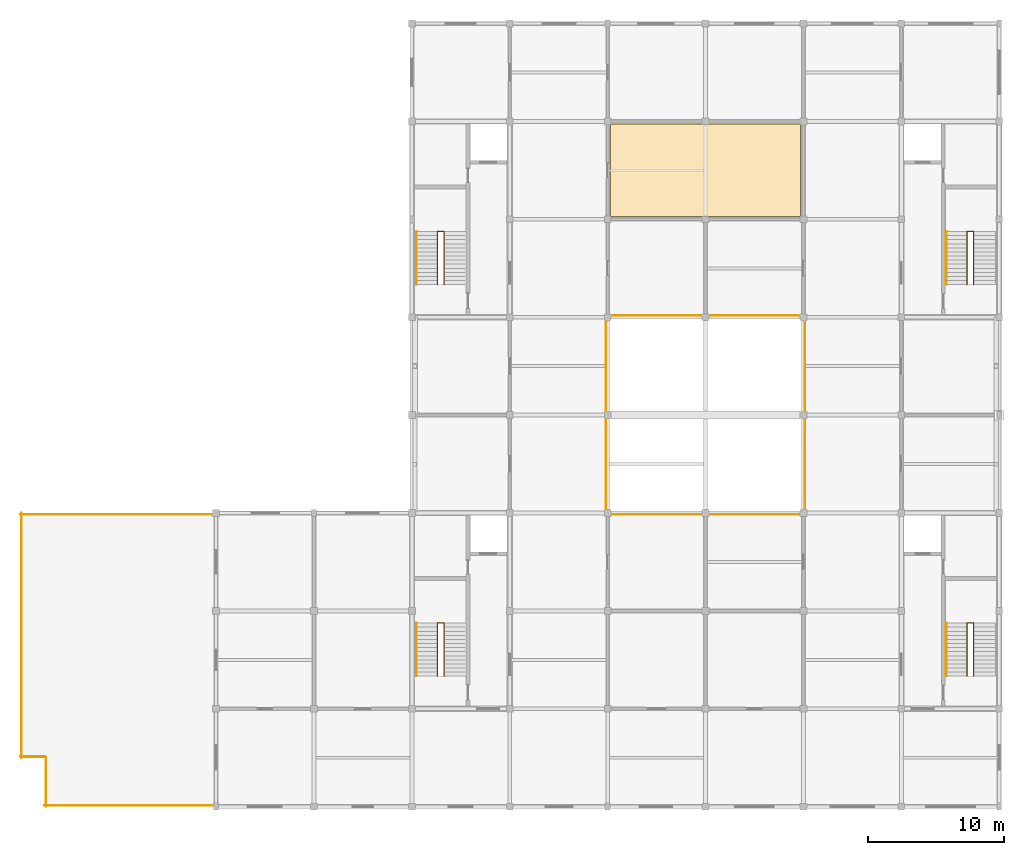
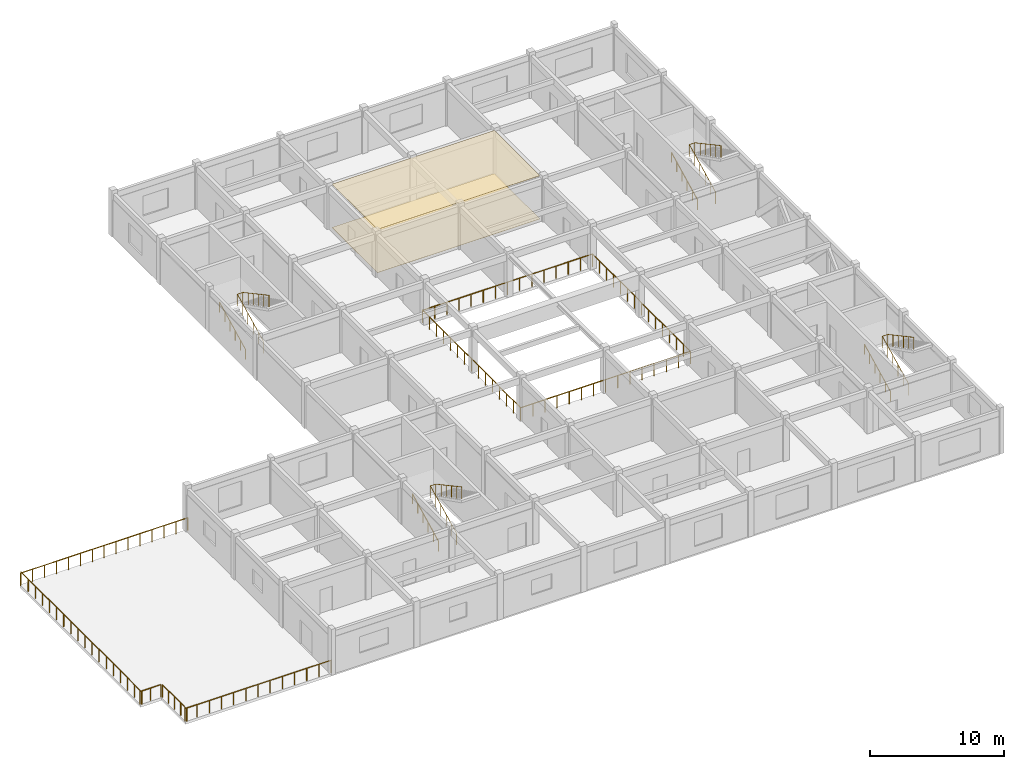
# One storey, part 7 of 7: 17 railings, 2 coverings.
"""IFC4 building model written with IfcOpenShell, lengths in metres."""

from ifc_helpers import new_model, si_unit, direction, frame, origin, origin_2d, place, context, subcontext, project, spatial, polyline, circle, outline, extrude, material, layer, layer_set, type_object, element, save


model = new_model("IFC4")

# Units and contexts
model_context = context("Model", 3, precision=1e-05, world=origin(), true_north=direction((0.0, 1.0)))
body_context = subcontext(model_context, "Body", "Model", "MODEL_VIEW")
ifc_project = project(units=[si_unit("LENGTHUNIT", "METRE"), si_unit("AREAUNIT", "SQUARE_METRE"), si_unit("VOLUMEUNIT", "CUBIC_METRE"), si_unit("PLANEANGLEUNIT", "RADIAN"), si_unit("MASSUNIT", "GRAM", prefix="KILO")], contexts=[model_context])

# Site, building, storey
site_placement = place(None, origin())
site = spatial("IfcSite", under=ifc_project, at=site_placement, CompositionType="ELEMENT")
building_placement = place(site_placement, origin())
building = spatial("IfcBuilding", under=site, at=building_placement, Name="Cendaluz Park School", CompositionType="ELEMENT")
storey_placement = place(building_placement, frame((0.0, 0.0, 46.800048828125)))
storey = spatial("IfcBuildingStorey", under=building, at=storey_placement, Name="L11", CompositionType="ELEMENT", Elevation=46.800048828125)

# Coverings
ifc_material_1 = material(Name="Mineral Fibre Acoustic Tile")
ifc_layer_1 = layer(ifc_material_1, 0.030029296875)
ifc_layer_set_1 = layer_set([ifc_layer_1], Name="Mineral Fibre Acoustic Tile")
covering_type_1 = type_object("IfcCoveringType", Name="CV-CLG01", PredefinedType="CEILING", material=ifc_layer_set_1)
covering_1_placement = place(storey_placement, frame((0.0, 0.0, 3.93994140625)))
element("IfcCovering", 1, at=covering_1_placement, inside=storey, type_object=covering_type_1, Name="CV-CLG-L11-01", PredefinedType="CEILING", context=body_context, shape_type="SweptSolid", body=[
    extrude(outline(polyline([(79.39990234375, 50.60009765625), (93.39990234375, 50.60009765625), (93.39990234375, 57.39990234375), (79.39990234375, 57.39990234375), (79.39990234375, 50.60009765625)])), origin(), (0.0, 0.0, 1.0), 0.030029296875),
])
ifc_material_2 = material(Name="Polished Terrazzo Tile")
ifc_layer_2 = layer(ifc_material_2, 0.02001953125)
ifc_layer_set_2 = layer_set([ifc_layer_2], Name="Polished Terrazzo Tile")
covering_type_2 = type_object("IfcCoveringType", Name="CV-FLR01", PredefinedType="FLOORING", material=ifc_layer_set_2)
covering_2_placement = place(storey_placement, origin())
element("IfcCovering", 2, at=covering_2_placement, inside=storey, type_object=covering_type_2, Name="CV-FLR-L11-01", PredefinedType="FLOORING", context=body_context, shape_type="SweptSolid", body=[
    extrude(outline(polyline([(79.39990234375, 50.60009765625), (93.39990234375, 50.60009765625), (93.39990234375, 57.39990234375), (79.39990234375, 57.39990234375), (79.39990234375, 50.60009765625)])), origin(), (0.0, 0.0, 1.0), 0.02001953125),
])

# Railings
ifc_material_3 = material(Name="Wrought Iron")
railing_type_1 = type_object("IfcRailingType", Name="GR-PD01", PredefinedType="BALUSTRADE", material=ifc_material_3)
railing_1_placement = place(storey_placement, frame((36.0, 28.699951171875, 0.0)))
element("IfcRailing", 3, at=railing_1_placement, inside=storey, type_object=railing_type_1, Name="GR-PD-L11-021", PredefinedType="BALUSTRADE", context=body_context, shape_type="SweptSolid", body=[
    extrude(circle(Radius=0.02392578125, at=origin_2d()), frame((0.0, 0.0, 1.1259765625), z_axis=(1.0, 0.0, 0.0), x_axis=(0.0, 1.0, 0.0)), (0.0, 0.0, 1.0), 14.39990234375),
    extrude(circle(Radius=0.02099609375, at=origin_2d()), origin(), (0.0, 0.0, 1.0), 1.101806640625),
    extrude(circle(Radius=0.02099609375, at=origin_2d()), frame((1.028564453125, 0.0, 0.0)), (0.0, 0.0, 1.0), 1.101806640625),
    extrude(circle(Radius=0.02099609375, at=origin_2d()), frame((2.05712890625, 0.0, 0.0)), (0.0, 0.0, 1.0), 1.101806640625),
    extrude(circle(Radius=0.02099609375, at=origin_2d()), frame((3.085693359375, 0.0, 0.0)), (0.0, 0.0, 1.0), 1.101806640625),
    extrude(circle(Radius=0.02099609375, at=origin_2d()), frame((4.1142578125, 0.0, 0.0)), (0.0, 0.0, 1.0), 1.101806640625),
    extrude(circle(Radius=0.02099609375, at=origin_2d()), frame((5.142822265625, 0.0, 0.0)), (0.0, 0.0, 1.0), 1.101806640625),
    extrude(circle(Radius=0.02099609375, at=origin_2d()), frame((6.17138671875, 0.0, 0.0)), (0.0, 0.0, 1.0), 1.101806640625),
    extrude(circle(Radius=0.02099609375, at=origin_2d()), frame((7.199951171875, 0.0, 0.0)), (0.0, 0.0, 1.0), 1.101806640625),
    extrude(circle(Radius=0.02099609375, at=origin_2d()), frame((8.228515625, 0.0, 0.0)), (0.0, 0.0, 1.0), 1.101806640625),
    extrude(circle(Radius=0.02099609375, at=origin_2d()), frame((9.257080078125, 0.0, 0.0)), (0.0, 0.0, 1.0), 1.101806640625),
    extrude(circle(Radius=0.02099609375, at=origin_2d()), frame((10.28564453125, 0.0, 0.0)), (0.0, 0.0, 1.0), 1.101806640625),
    extrude(circle(Radius=0.02099609375, at=origin_2d()), frame((11.314208984375, 0.0, 0.0)), (0.0, 0.0, 1.0), 1.101806640625),
    extrude(circle(Radius=0.02099609375, at=origin_2d()), frame((12.3427734375, 0.0, 0.0)), (0.0, 0.0, 1.0), 1.101806640625),
    extrude(circle(Radius=0.02099609375, at=origin_2d()), frame((13.371337890625, 0.0, 0.0)), (0.0, 0.0, 1.0), 1.101806640625),
    extrude(circle(Radius=0.02099609375, at=origin_2d()), frame((14.39990234375, 0.0, 0.0)), (0.0, 0.0, 1.0), 1.101806640625),
])
railing_2_placement = place(storey_placement, frame((50.39990234375, 7.300048828125, 0.0)))
element("IfcRailing", 4, at=railing_2_placement, inside=storey, type_object=railing_type_1, Name="GR-PD-L11-022", PredefinedType="BALUSTRADE", context=body_context, shape_type="SweptSolid", body=[
    extrude(circle(Radius=0.02392578125, at=origin_2d()), frame((0.0, 0.0, 1.1259765625), z_axis=(-1.0, 0.0, 0.0), x_axis=(0.0, -1.0, 0.0)), (0.0, 0.0, 1.0), 12.599853515625),
    extrude(circle(Radius=0.02099609375, at=origin_2d()), origin(), (0.0, 0.0, 1.0), 1.101806640625),
    extrude(circle(Radius=0.02099609375, at=origin_2d()), frame((-1.050048828125, 0.0, 0.0)), (0.0, 0.0, 1.0), 1.101806640625),
    extrude(circle(Radius=0.02099609375, at=origin_2d()), frame((-2.10009765625, 0.0, 0.0)), (0.0, 0.0, 1.0), 1.101806640625),
    extrude(circle(Radius=0.02099609375, at=origin_2d()), frame((-3.14990234375, 0.0, 0.0)), (0.0, 0.0, 1.0), 1.101806640625),
    extrude(circle(Radius=0.02099609375, at=origin_2d()), frame((-4.199951171875, 0.0, 0.0)), (0.0, 0.0, 1.0), 1.101806640625),
    extrude(circle(Radius=0.02099609375, at=origin_2d()), frame((-5.25, 0.0, 0.0)), (0.0, 0.0, 1.0), 1.101806640625),
    extrude(circle(Radius=0.02099609375, at=origin_2d()), frame((-6.2998046875, 0.0, 0.0)), (0.0, 0.0, 1.0), 1.101806640625),
    extrude(circle(Radius=0.02099609375, at=origin_2d()), frame((-7.349853515625, 0.0, 0.0)), (0.0, 0.0, 1.0), 1.101806640625),
    extrude(circle(Radius=0.02099609375, at=origin_2d()), frame((-8.39990234375, 0.0, 0.0)), (0.0, 0.0, 1.0), 1.101806640625),
    extrude(circle(Radius=0.02099609375, at=origin_2d()), frame((-9.449951171875, 0.0, 0.0)), (0.0, 0.0, 1.0), 1.101806640625),
    extrude(circle(Radius=0.02099609375, at=origin_2d()), frame((-10.5, 0.0, 0.0)), (0.0, 0.0, 1.0), 1.101806640625),
    extrude(circle(Radius=0.02099609375, at=origin_2d()), frame((-11.5498046875, 0.0, 0.0)), (0.0, 0.0, 1.0), 1.101806640625),
    extrude(circle(Radius=0.02099609375, at=origin_2d()), frame((-12.599853515625, 0.0, 0.0)), (0.0, 0.0, 1.0), 1.101806640625),
])
railing_3_placement = place(storey_placement, frame((37.89990234375, 7.199951171875, 0.0)))
element("IfcRailing", 5, at=railing_3_placement, inside=storey, type_object=railing_type_1, Name="GR-PD-L11-023", PredefinedType="BALUSTRADE", context=body_context, shape_type="SweptSolid", body=[
    extrude(circle(Radius=0.02392578125, at=origin_2d()), frame((0.0, 0.0, 1.1259765625), z_axis=(0.0, 1.0, 0.0), x_axis=(-1.0, 0.0, 0.0)), (0.0, 0.0, 1.0), 3.60009765625),
    extrude(circle(Radius=0.02099609375, at=origin_2d()), origin(), (0.0, 0.0, 1.0), 1.101806640625),
    extrude(circle(Radius=0.02099609375, at=origin_2d()), frame((0.0, 0.89990234375, 0.0)), (0.0, 0.0, 1.0), 1.101806640625),
    extrude(circle(Radius=0.02099609375, at=origin_2d()), frame((0.0, 1.800048828125, 0.0)), (0.0, 0.0, 1.0), 1.101806640625),
    extrude(circle(Radius=0.02099609375, at=origin_2d()), frame((0.0, 2.7001953125, 0.0)), (0.0, 0.0, 1.0), 1.101806640625),
    extrude(circle(Radius=0.02099609375, at=origin_2d()), frame((0.0, 3.60009765625, 0.0)), (0.0, 0.0, 1.0), 1.101806640625),
])
railing_4_placement = place(storey_placement, frame((37.800048828125, 10.89990234375, 0.0)))
element("IfcRailing", 6, at=railing_4_placement, inside=storey, type_object=railing_type_1, Name="GR-PD-L11-024", PredefinedType="BALUSTRADE", context=body_context, shape_type="SweptSolid", body=[
    extrude(circle(Radius=0.02392578125, at=origin_2d()), frame((0.0, 0.0, 1.1259765625), z_axis=(-1.0, 0.0, 0.0), x_axis=(0.0, -1.0, 0.0)), (0.0, 0.0, 1.0), 1.800048828125),
    extrude(circle(Radius=0.02099609375, at=origin_2d()), origin(), (0.0, 0.0, 1.0), 1.101806640625),
    extrude(circle(Radius=0.02099609375, at=origin_2d()), frame((-0.89990234375, 0.0, 0.0)), (0.0, 0.0, 1.0), 1.101806640625),
    extrude(circle(Radius=0.02099609375, at=origin_2d()), frame((-1.800048828125, 0.0, 0.0)), (0.0, 0.0, 1.0), 1.101806640625),
])
railing_5_placement = place(storey_placement, frame((36.10009765625, 10.800048828125, 0.0)))
element("IfcRailing", 7, at=railing_5_placement, inside=storey, type_object=railing_type_1, Name="GR-PD-L11-025", PredefinedType="BALUSTRADE", context=body_context, shape_type="SweptSolid", body=[
    extrude(circle(Radius=0.02392578125, at=origin_2d()), frame((0.0, 0.0, 1.1259765625), z_axis=(0.0, 1.0, 0.0), x_axis=(-1.0, 0.0, 0.0)), (0.0, 0.0, 1.0), 18.0),
    extrude(circle(Radius=0.02099609375, at=origin_2d()), origin(), (0.0, 0.0, 1.0), 1.101806640625),
    extrude(circle(Radius=0.02099609375, at=origin_2d()), frame((0.0, 1.058837890625, 0.0)), (0.0, 0.0, 1.0), 1.101806640625),
    extrude(circle(Radius=0.02099609375, at=origin_2d()), frame((0.0, 2.11767578125, 0.0)), (0.0, 0.0, 1.0), 1.101806640625),
    extrude(circle(Radius=0.02099609375, at=origin_2d()), frame((0.0, 3.176513671875, 0.0)), (0.0, 0.0, 1.0), 1.101806640625),
    extrude(circle(Radius=0.02099609375, at=origin_2d()), frame((0.0, 4.2353515625, 0.0)), (0.0, 0.0, 1.0), 1.101806640625),
    extrude(circle(Radius=0.02099609375, at=origin_2d()), frame((0.0, 5.294189453125, 0.0)), (0.0, 0.0, 1.0), 1.101806640625),
    extrude(circle(Radius=0.02099609375, at=origin_2d()), frame((0.0, 6.35302734375, 0.0)), (0.0, 0.0, 1.0), 1.101806640625),
    extrude(circle(Radius=0.02099609375, at=origin_2d()), frame((0.0, 7.411865234375, 0.0)), (0.0, 0.0, 1.0), 1.101806640625),
    extrude(circle(Radius=0.02099609375, at=origin_2d()), frame((0.0, 8.470703125, 0.0)), (0.0, 0.0, 1.0), 1.101806640625),
    extrude(circle(Radius=0.02099609375, at=origin_2d()), frame((0.0, 9.529296875, 0.0)), (0.0, 0.0, 1.0), 1.101806640625),
    extrude(circle(Radius=0.02099609375, at=origin_2d()), frame((0.0, 10.588134765625, 0.0)), (0.0, 0.0, 1.0), 1.101806640625),
    extrude(circle(Radius=0.02099609375, at=origin_2d()), frame((0.0, 11.64697265625, 0.0)), (0.0, 0.0, 1.0), 1.101806640625),
    extrude(circle(Radius=0.02099609375, at=origin_2d()), frame((0.0, 12.705810546875, 0.0)), (0.0, 0.0, 1.0), 1.101806640625),
    extrude(circle(Radius=0.02099609375, at=origin_2d()), frame((0.0, 13.7646484375, 0.0)), (0.0, 0.0, 1.0), 1.101806640625),
    extrude(circle(Radius=0.02099609375, at=origin_2d()), frame((0.0, 14.823486328125, 0.0)), (0.0, 0.0, 1.0), 1.101806640625),
    extrude(circle(Radius=0.02099609375, at=origin_2d()), frame((0.0, 15.88232421875, 0.0)), (0.0, 0.0, 1.0), 1.101806640625),
    extrude(circle(Radius=0.02099609375, at=origin_2d()), frame((0.0, 16.941162109375, 0.0)), (0.0, 0.0, 1.0), 1.101806640625),
    extrude(circle(Radius=0.02099609375, at=origin_2d()), frame((0.0, 18.0, 0.0)), (0.0, 0.0, 1.0), 1.101806640625),
])
railing_type_2 = type_object("IfcRailingType", Name="GR-ST01", PredefinedType="BALUSTRADE", material=ifc_material_3)
railing_6_placement = place(storey_placement, frame((66.68994140625, 16.800048828125, 0.14990234375)))
element("IfcRailing", 8, at=railing_6_placement, inside=storey, type_object=railing_type_2, Name="GR-ST-025", PredefinedType="BALUSTRADE", context=body_context, shape_type="SweptSolid", body=[
    extrude(circle(Radius=0.02392578125, at=origin_2d()), frame((0.0, 0.0, 1.076171875), z_axis=(0.0, 0.894427191, 0.4472135955), x_axis=(-1.0, 0.0, 0.0)), (0.0, 0.0, 1.0), 4.360107421875),
    extrude(circle(Radius=0.02392578125, at=origin_2d()), frame((0.0, 3.89990234375, 3.02587890625), z_axis=(1.0, 0.0, 0.0), x_axis=(0.0, 1.0, 0.0)), (0.0, 0.0, 1.0), 0.469970703125),
    extrude(circle(Radius=0.02392578125, at=origin_2d()), frame((0.469970703125, 3.89990234375, 3.02587890625), z_axis=(0.0, -0.880456940745, 0.474126117709), x_axis=(1.0, 0.0, 0.0)), (0.0, 0.0, 1.0), 4.429443359375),
    extrude(circle(Radius=0.02099609375, at=origin_2d()), origin(), (0.0, 0.0, 1.0), 1.052001953125),
    extrude(circle(Radius=0.02099609375, at=origin_2d()), frame((0.0, 0.780029296875, 0.389892578125)), (0.0, 0.0, 1.0), 1.052001953125),
    extrude(circle(Radius=0.02099609375, at=origin_2d()), frame((0.0, 1.56005859375, 0.780029296875)), (0.0, 0.0, 1.0), 1.052001953125),
    extrude(circle(Radius=0.02099609375, at=origin_2d()), frame((0.0, 2.33984375, 1.169921875)), (0.0, 0.0, 1.0), 1.052001953125),
    extrude(circle(Radius=0.02099609375, at=origin_2d()), frame((0.0, 3.119873046875, 1.56005859375)), (0.0, 0.0, 1.0), 1.052001953125),
    extrude(circle(Radius=0.02099609375, at=origin_2d()), frame((0.0, 3.89990234375, 1.949951171875)), (0.0, 0.0, 1.0), 1.052001953125),
    extrude(circle(Radius=0.02099609375, at=origin_2d()), frame((0.469970703125, 3.89990234375, 1.949951171875)), (0.0, 0.0, 1.0), 1.052001953125),
    extrude(circle(Radius=0.02099609375, at=origin_2d()), frame((0.469970703125, 3.119873046875, 2.369873046875)), (0.0, 0.0, 1.0), 1.052001953125),
    extrude(circle(Radius=0.02099609375, at=origin_2d()), frame((0.469970703125, 2.33984375, 2.7900390625)), (0.0, 0.0, 1.0), 1.052001953125),
    extrude(circle(Radius=0.02099609375, at=origin_2d()), frame((0.469970703125, 1.56005859375, 3.2099609375)), (0.0, 0.0, 1.0), 1.052001953125),
    extrude(circle(Radius=0.02099609375, at=origin_2d()), frame((0.469970703125, 0.780029296875, 3.630126953125)), (0.0, 0.0, 1.0), 1.052001953125),
    extrude(circle(Radius=0.02099609375, at=origin_2d()), frame((0.469970703125, 0.0, 4.050048828125)), (0.0, 0.0, 1.0), 1.052001953125),
])
railing_7_placement = place(storey_placement, frame((105.639892578125, 16.800048828125, 0.14990234375)))
element("IfcRailing", 9, at=railing_7_placement, inside=storey, type_object=railing_type_2, Name="GR-ST-060", PredefinedType="BALUSTRADE", context=body_context, shape_type="SweptSolid", body=[
    extrude(circle(Radius=0.02392578125, at=origin_2d()), frame((0.0, 0.0, 1.076171875), z_axis=(0.0, 0.894427191, 0.4472135955), x_axis=(-1.0, 0.0, 0.0)), (0.0, 0.0, 1.0), 4.360107421875),
    extrude(circle(Radius=0.02392578125, at=origin_2d()), frame((0.0, 3.89990234375, 3.02587890625), z_axis=(1.0, 0.0, 0.0), x_axis=(0.0, 1.0, 0.0)), (0.0, 0.0, 1.0), 0.47021484375),
    extrude(circle(Radius=0.02392578125, at=origin_2d()), frame((0.47021484375, 3.89990234375, 3.02587890625), z_axis=(0.0, -0.880456940745, 0.474126117709), x_axis=(1.0, 0.0, 0.0)), (0.0, 0.0, 1.0), 4.429443359375),
    extrude(circle(Radius=0.02099609375, at=origin_2d()), origin(), (0.0, 0.0, 1.0), 1.052001953125),
    extrude(circle(Radius=0.02099609375, at=origin_2d()), frame((0.0, 0.780029296875, 0.389892578125)), (0.0, 0.0, 1.0), 1.052001953125),
    extrude(circle(Radius=0.02099609375, at=origin_2d()), frame((0.0, 1.56005859375, 0.780029296875)), (0.0, 0.0, 1.0), 1.052001953125),
    extrude(circle(Radius=0.02099609375, at=origin_2d()), frame((0.0, 2.33984375, 1.169921875)), (0.0, 0.0, 1.0), 1.052001953125),
    extrude(circle(Radius=0.02099609375, at=origin_2d()), frame((0.0, 3.119873046875, 1.56005859375)), (0.0, 0.0, 1.0), 1.052001953125),
    extrude(circle(Radius=0.02099609375, at=origin_2d()), frame((0.0, 3.89990234375, 1.949951171875)), (0.0, 0.0, 1.0), 1.052001953125),
    extrude(circle(Radius=0.02099609375, at=origin_2d()), frame((0.47021484375, 3.89990234375, 1.949951171875)), (0.0, 0.0, 1.0), 1.052001953125),
    extrude(circle(Radius=0.02099609375, at=origin_2d()), frame((0.47021484375, 3.119873046875, 2.369873046875)), (0.0, 0.0, 1.0), 1.052001953125),
    extrude(circle(Radius=0.02099609375, at=origin_2d()), frame((0.47021484375, 2.33984375, 2.7900390625)), (0.0, 0.0, 1.0), 1.052001953125),
    extrude(circle(Radius=0.02099609375, at=origin_2d()), frame((0.47021484375, 1.56005859375, 3.2099609375)), (0.0, 0.0, 1.0), 1.052001953125),
    extrude(circle(Radius=0.02099609375, at=origin_2d()), frame((0.47021484375, 0.780029296875, 3.630126953125)), (0.0, 0.0, 1.0), 1.052001953125),
    extrude(circle(Radius=0.02099609375, at=origin_2d()), frame((0.47021484375, 0.0, 4.050048828125)), (0.0, 0.0, 1.0), 1.052001953125),
])
railing_8_placement = place(storey_placement, frame((66.68994140625, 45.60009765625, 0.14990234375)))
element("IfcRailing", 10, at=railing_8_placement, inside=storey, type_object=railing_type_2, Name="GR-ST-095", PredefinedType="BALUSTRADE", context=body_context, shape_type="SweptSolid", body=[
    extrude(circle(Radius=0.02392578125, at=origin_2d()), frame((0.0, 0.0, 1.076171875), z_axis=(0.0, 0.894427191, 0.4472135955), x_axis=(-1.0, 0.0, 0.0)), (0.0, 0.0, 1.0), 4.360107421875),
    extrude(circle(Radius=0.02392578125, at=origin_2d()), frame((0.0, 3.89990234375, 3.02587890625), z_axis=(1.0, 0.0, 0.0), x_axis=(0.0, 1.0, 0.0)), (0.0, 0.0, 1.0), 0.469970703125),
    extrude(circle(Radius=0.02392578125, at=origin_2d()), frame((0.469970703125, 3.89990234375, 3.02587890625), z_axis=(0.0, -0.880456940745, 0.474126117709), x_axis=(1.0, 0.0, 0.0)), (0.0, 0.0, 1.0), 4.429443359375),
    extrude(circle(Radius=0.02099609375, at=origin_2d()), origin(), (0.0, 0.0, 1.0), 1.052001953125),
    extrude(circle(Radius=0.02099609375, at=origin_2d()), frame((0.0, 0.780029296875, 0.389892578125)), (0.0, 0.0, 1.0), 1.052001953125),
    extrude(circle(Radius=0.02099609375, at=origin_2d()), frame((0.0, 1.56005859375, 0.780029296875)), (0.0, 0.0, 1.0), 1.052001953125),
    extrude(circle(Radius=0.02099609375, at=origin_2d()), frame((0.0, 2.33984375, 1.169921875)), (0.0, 0.0, 1.0), 1.052001953125),
    extrude(circle(Radius=0.02099609375, at=origin_2d()), frame((0.0, 3.119873046875, 1.56005859375)), (0.0, 0.0, 1.0), 1.052001953125),
    extrude(circle(Radius=0.02099609375, at=origin_2d()), frame((0.0, 3.89990234375, 1.949951171875)), (0.0, 0.0, 1.0), 1.052001953125),
    extrude(circle(Radius=0.02099609375, at=origin_2d()), frame((0.469970703125, 3.89990234375, 1.949951171875)), (0.0, 0.0, 1.0), 1.052001953125),
    extrude(circle(Radius=0.02099609375, at=origin_2d()), frame((0.469970703125, 3.119873046875, 2.369873046875)), (0.0, 0.0, 1.0), 1.052001953125),
    extrude(circle(Radius=0.02099609375, at=origin_2d()), frame((0.469970703125, 2.33984375, 2.7900390625)), (0.0, 0.0, 1.0), 1.052001953125),
    extrude(circle(Radius=0.02099609375, at=origin_2d()), frame((0.469970703125, 1.56005859375, 3.2099609375)), (0.0, 0.0, 1.0), 1.052001953125),
    extrude(circle(Radius=0.02099609375, at=origin_2d()), frame((0.469970703125, 0.780029296875, 3.630126953125)), (0.0, 0.0, 1.0), 1.052001953125),
    extrude(circle(Radius=0.02099609375, at=origin_2d()), frame((0.469970703125, 0.0, 4.050048828125)), (0.0, 0.0, 1.0), 1.052001953125),
])
railing_9_placement = place(storey_placement, frame((105.639892578125, 45.60009765625, 0.14990234375)))
element("IfcRailing", 11, at=railing_9_placement, inside=storey, type_object=railing_type_2, Name="GR-ST-130", PredefinedType="BALUSTRADE", context=body_context, shape_type="SweptSolid", body=[
    extrude(circle(Radius=0.02392578125, at=origin_2d()), frame((0.0, 0.0, 1.076171875), z_axis=(0.0, 0.894427191, 0.4472135955), x_axis=(-1.0, 0.0, 0.0)), (0.0, 0.0, 1.0), 4.360107421875),
    extrude(circle(Radius=0.02392578125, at=origin_2d()), frame((0.0, 3.89990234375, 3.02587890625), z_axis=(1.0, 0.0, 0.0), x_axis=(0.0, 1.0, 0.0)), (0.0, 0.0, 1.0), 0.47021484375),
    extrude(circle(Radius=0.02392578125, at=origin_2d()), frame((0.47021484375, 3.89990234375, 3.02587890625), z_axis=(0.0, -0.880456940745, 0.474126117709), x_axis=(1.0, 0.0, 0.0)), (0.0, 0.0, 1.0), 4.429443359375),
    extrude(circle(Radius=0.02099609375, at=origin_2d()), origin(), (0.0, 0.0, 1.0), 1.052001953125),
    extrude(circle(Radius=0.02099609375, at=origin_2d()), frame((0.0, 0.780029296875, 0.389892578125)), (0.0, 0.0, 1.0), 1.052001953125),
    extrude(circle(Radius=0.02099609375, at=origin_2d()), frame((0.0, 1.56005859375, 0.780029296875)), (0.0, 0.0, 1.0), 1.052001953125),
    extrude(circle(Radius=0.02099609375, at=origin_2d()), frame((0.0, 2.33984375, 1.169921875)), (0.0, 0.0, 1.0), 1.052001953125),
    extrude(circle(Radius=0.02099609375, at=origin_2d()), frame((0.0, 3.119873046875, 1.56005859375)), (0.0, 0.0, 1.0), 1.052001953125),
    extrude(circle(Radius=0.02099609375, at=origin_2d()), frame((0.0, 3.89990234375, 1.949951171875)), (0.0, 0.0, 1.0), 1.052001953125),
    extrude(circle(Radius=0.02099609375, at=origin_2d()), frame((0.47021484375, 3.89990234375, 1.949951171875)), (0.0, 0.0, 1.0), 1.052001953125),
    extrude(circle(Radius=0.02099609375, at=origin_2d()), frame((0.47021484375, 3.119873046875, 2.369873046875)), (0.0, 0.0, 1.0), 1.052001953125),
    extrude(circle(Radius=0.02099609375, at=origin_2d()), frame((0.47021484375, 2.33984375, 2.7900390625)), (0.0, 0.0, 1.0), 1.052001953125),
    extrude(circle(Radius=0.02099609375, at=origin_2d()), frame((0.47021484375, 1.56005859375, 3.2099609375)), (0.0, 0.0, 1.0), 1.052001953125),
    extrude(circle(Radius=0.02099609375, at=origin_2d()), frame((0.47021484375, 0.780029296875, 3.630126953125)), (0.0, 0.0, 1.0), 1.052001953125),
    extrude(circle(Radius=0.02099609375, at=origin_2d()), frame((0.47021484375, 0.0, 4.050048828125)), (0.0, 0.0, 1.0), 1.052001953125),
])
ifc_material_4 = material(Name="Tempered Low-E Double Glazing", Category="glass")
railing_type_3 = type_object("IfcRailingType", Name="GR-VD01", PredefinedType="GUARDRAIL", material=ifc_material_4)
railing_10_placement = place(storey_placement, frame((79.080078125, 28.679931640625, 0.0)))
element("IfcRailing", 12, at=railing_10_placement, inside=storey, type_object=railing_type_3, Name="GR-LIB-VOID-1", PredefinedType="GUARDRAIL", context=body_context, shape_type="SweptSolid", body=[
    extrude(circle(Radius=0.02392578125, at=origin_2d()), frame((0.0, 0.0, 1.1259765625), z_axis=(1.0, 0.0, 0.0), x_axis=(0.0, 1.0, 0.0)), (0.0, 0.0, 1.0), 14.639892578125),
    extrude(circle(Radius=0.02099609375, at=origin_2d()), origin(), (0.0, 0.0, 1.0), 1.101806640625),
    extrude(circle(Radius=0.02099609375, at=origin_2d()), frame((1.045654296875, 0.0, 0.0)), (0.0, 0.0, 1.0), 1.101806640625),
    extrude(circle(Radius=0.02099609375, at=origin_2d()), frame((2.09130859375, 0.0, 0.0)), (0.0, 0.0, 1.0), 1.101806640625),
    extrude(circle(Radius=0.02099609375, at=origin_2d()), frame((3.13720703125, 0.0, 0.0)), (0.0, 0.0, 1.0), 1.101806640625),
    extrude(circle(Radius=0.02099609375, at=origin_2d()), frame((4.182861328125, 0.0, 0.0)), (0.0, 0.0, 1.0), 1.101806640625),
    extrude(circle(Radius=0.02099609375, at=origin_2d()), frame((5.228515625, 0.0, 0.0)), (0.0, 0.0, 1.0), 1.101806640625),
    extrude(circle(Radius=0.02099609375, at=origin_2d()), frame((6.274169921875, 0.0, 0.0)), (0.0, 0.0, 1.0), 1.101806640625),
    extrude(circle(Radius=0.02099609375, at=origin_2d()), frame((7.31982421875, 0.0, 0.0)), (0.0, 0.0, 1.0), 1.101806640625),
    extrude(circle(Radius=0.02099609375, at=origin_2d()), frame((8.36572265625, 0.0, 0.0)), (0.0, 0.0, 1.0), 1.101806640625),
    extrude(circle(Radius=0.02099609375, at=origin_2d()), frame((9.411376953125, 0.0, 0.0)), (0.0, 0.0, 1.0), 1.101806640625),
    extrude(circle(Radius=0.02099609375, at=origin_2d()), frame((10.45703125, 0.0, 0.0)), (0.0, 0.0, 1.0), 1.101806640625),
    extrude(circle(Radius=0.02099609375, at=origin_2d()), frame((11.502685546875, 0.0, 0.0)), (0.0, 0.0, 1.0), 1.101806640625),
    extrude(circle(Radius=0.02099609375, at=origin_2d()), frame((12.548583984375, 0.0, 0.0)), (0.0, 0.0, 1.0), 1.101806640625),
    extrude(circle(Radius=0.02099609375, at=origin_2d()), frame((13.59423828125, 0.0, 0.0)), (0.0, 0.0, 1.0), 1.101806640625),
    extrude(circle(Radius=0.02099609375, at=origin_2d()), frame((14.639892578125, 0.0, 0.0)), (0.0, 0.0, 1.0), 1.101806640625),
])
railing_11_placement = place(storey_placement, frame((93.719970703125, 28.679931640625, 0.0)))
element("IfcRailing", 13, at=railing_11_placement, inside=storey, type_object=railing_type_3, Name="GR-LIB-VOID-2", PredefinedType="GUARDRAIL", context=body_context, shape_type="SweptSolid", body=[
    extrude(circle(Radius=0.02392578125, at=origin_2d()), frame((0.0, 0.0, 1.1259765625), z_axis=(0.0, 1.0, 0.0), x_axis=(-1.0, 0.0, 0.0)), (0.0, 0.0, 1.0), 14.64013671875),
    extrude(circle(Radius=0.02099609375, at=origin_2d()), origin(), (0.0, 0.0, 1.0), 1.101806640625),
    extrude(circle(Radius=0.02099609375, at=origin_2d()), frame((0.0, 1.045654296875, 0.0)), (0.0, 0.0, 1.0), 1.101806640625),
    extrude(circle(Radius=0.02099609375, at=origin_2d()), frame((0.0, 2.091552734375, 0.0)), (0.0, 0.0, 1.0), 1.101806640625),
    extrude(circle(Radius=0.02099609375, at=origin_2d()), frame((0.0, 3.13720703125, 0.0)), (0.0, 0.0, 1.0), 1.101806640625),
    extrude(circle(Radius=0.02099609375, at=origin_2d()), frame((0.0, 4.182861328125, 0.0)), (0.0, 0.0, 1.0), 1.101806640625),
    extrude(circle(Radius=0.02099609375, at=origin_2d()), frame((0.0, 5.228515625, 0.0)), (0.0, 0.0, 1.0), 1.101806640625),
    extrude(circle(Radius=0.02099609375, at=origin_2d()), frame((0.0, 6.2744140625, 0.0)), (0.0, 0.0, 1.0), 1.101806640625),
    extrude(circle(Radius=0.02099609375, at=origin_2d()), frame((0.0, 7.320068359375, 0.0)), (0.0, 0.0, 1.0), 1.101806640625),
    extrude(circle(Radius=0.02099609375, at=origin_2d()), frame((0.0, 8.36572265625, 0.0)), (0.0, 0.0, 1.0), 1.101806640625),
    extrude(circle(Radius=0.02099609375, at=origin_2d()), frame((0.0, 9.41162109375, 0.0)), (0.0, 0.0, 1.0), 1.101806640625),
    extrude(circle(Radius=0.02099609375, at=origin_2d()), frame((0.0, 10.457275390625, 0.0)), (0.0, 0.0, 1.0), 1.101806640625),
    extrude(circle(Radius=0.02099609375, at=origin_2d()), frame((0.0, 11.5029296875, 0.0)), (0.0, 0.0, 1.0), 1.101806640625),
    extrude(circle(Radius=0.02099609375, at=origin_2d()), frame((0.0, 12.548583984375, 0.0)), (0.0, 0.0, 1.0), 1.101806640625),
    extrude(circle(Radius=0.02099609375, at=origin_2d()), frame((0.0, 13.594482421875, 0.0)), (0.0, 0.0, 1.0), 1.101806640625),
    extrude(circle(Radius=0.02099609375, at=origin_2d()), frame((0.0, 14.64013671875, 0.0)), (0.0, 0.0, 1.0), 1.101806640625),
])
railing_12_placement = place(storey_placement, frame((93.719970703125, 43.320068359375, 0.0)))
element("IfcRailing", 14, at=railing_12_placement, inside=storey, type_object=railing_type_3, Name="GR-LIB-VOID-3", PredefinedType="GUARDRAIL", context=body_context, shape_type="SweptSolid", body=[
    extrude(circle(Radius=0.02392578125, at=origin_2d()), frame((0.0, 0.0, 1.1259765625), z_axis=(-1.0, 0.0, 0.0), x_axis=(0.0, -1.0, 0.0)), (0.0, 0.0, 1.0), 14.639892578125),
    extrude(circle(Radius=0.02099609375, at=origin_2d()), origin(), (0.0, 0.0, 1.0), 1.101806640625),
    extrude(circle(Radius=0.02099609375, at=origin_2d()), frame((-1.045654296875, 0.0, 0.0)), (0.0, 0.0, 1.0), 1.101806640625),
    extrude(circle(Radius=0.02099609375, at=origin_2d()), frame((-2.09130859375, 0.0, 0.0)), (0.0, 0.0, 1.0), 1.101806640625),
    extrude(circle(Radius=0.02099609375, at=origin_2d()), frame((-3.13720703125, 0.0, 0.0)), (0.0, 0.0, 1.0), 1.101806640625),
    extrude(circle(Radius=0.02099609375, at=origin_2d()), frame((-4.182861328125, 0.0, 0.0)), (0.0, 0.0, 1.0), 1.101806640625),
    extrude(circle(Radius=0.02099609375, at=origin_2d()), frame((-5.228515625, 0.0, 0.0)), (0.0, 0.0, 1.0), 1.101806640625),
    extrude(circle(Radius=0.02099609375, at=origin_2d()), frame((-6.274169921875, 0.0, 0.0)), (0.0, 0.0, 1.0), 1.101806640625),
    extrude(circle(Radius=0.02099609375, at=origin_2d()), frame((-7.31982421875, 0.0, 0.0)), (0.0, 0.0, 1.0), 1.101806640625),
    extrude(circle(Radius=0.02099609375, at=origin_2d()), frame((-8.36572265625, 0.0, 0.0)), (0.0, 0.0, 1.0), 1.101806640625),
    extrude(circle(Radius=0.02099609375, at=origin_2d()), frame((-9.411376953125, 0.0, 0.0)), (0.0, 0.0, 1.0), 1.101806640625),
    extrude(circle(Radius=0.02099609375, at=origin_2d()), frame((-10.45703125, 0.0, 0.0)), (0.0, 0.0, 1.0), 1.101806640625),
    extrude(circle(Radius=0.02099609375, at=origin_2d()), frame((-11.502685546875, 0.0, 0.0)), (0.0, 0.0, 1.0), 1.101806640625),
    extrude(circle(Radius=0.02099609375, at=origin_2d()), frame((-12.548583984375, 0.0, 0.0)), (0.0, 0.0, 1.0), 1.101806640625),
    extrude(circle(Radius=0.02099609375, at=origin_2d()), frame((-13.59423828125, 0.0, 0.0)), (0.0, 0.0, 1.0), 1.101806640625),
    extrude(circle(Radius=0.02099609375, at=origin_2d()), frame((-14.639892578125, 0.0, 0.0)), (0.0, 0.0, 1.0), 1.101806640625),
])
railing_13_placement = place(storey_placement, frame((79.080078125, 43.320068359375, 0.0)))
element("IfcRailing", 15, at=railing_13_placement, inside=storey, type_object=railing_type_3, Name="GR-LIB-VOID-4", PredefinedType="GUARDRAIL", context=body_context, shape_type="SweptSolid", body=[
    extrude(circle(Radius=0.02392578125, at=origin_2d()), frame((0.0, 0.0, 1.1259765625), z_axis=(0.0, -1.0, 0.0), x_axis=(1.0, 0.0, 0.0)), (0.0, 0.0, 1.0), 14.64013671875),
    extrude(circle(Radius=0.02099609375, at=origin_2d()), origin(), (0.0, 0.0, 1.0), 1.101806640625),
    extrude(circle(Radius=0.02099609375, at=origin_2d()), frame((0.0, -1.045654296875, 0.0)), (0.0, 0.0, 1.0), 1.101806640625),
    extrude(circle(Radius=0.02099609375, at=origin_2d()), frame((0.0, -2.091552734375, 0.0)), (0.0, 0.0, 1.0), 1.101806640625),
    extrude(circle(Radius=0.02099609375, at=origin_2d()), frame((0.0, -3.13720703125, 0.0)), (0.0, 0.0, 1.0), 1.101806640625),
    extrude(circle(Radius=0.02099609375, at=origin_2d()), frame((0.0, -4.182861328125, 0.0)), (0.0, 0.0, 1.0), 1.101806640625),
    extrude(circle(Radius=0.02099609375, at=origin_2d()), frame((0.0, -5.228515625, 0.0)), (0.0, 0.0, 1.0), 1.101806640625),
    extrude(circle(Radius=0.02099609375, at=origin_2d()), frame((0.0, -6.2744140625, 0.0)), (0.0, 0.0, 1.0), 1.101806640625),
    extrude(circle(Radius=0.02099609375, at=origin_2d()), frame((0.0, -7.320068359375, 0.0)), (0.0, 0.0, 1.0), 1.101806640625),
    extrude(circle(Radius=0.02099609375, at=origin_2d()), frame((0.0, -8.36572265625, 0.0)), (0.0, 0.0, 1.0), 1.101806640625),
    extrude(circle(Radius=0.02099609375, at=origin_2d()), frame((0.0, -9.41162109375, 0.0)), (0.0, 0.0, 1.0), 1.101806640625),
    extrude(circle(Radius=0.02099609375, at=origin_2d()), frame((0.0, -10.457275390625, 0.0)), (0.0, 0.0, 1.0), 1.101806640625),
    extrude(circle(Radius=0.02099609375, at=origin_2d()), frame((0.0, -11.5029296875, 0.0)), (0.0, 0.0, 1.0), 1.101806640625),
    extrude(circle(Radius=0.02099609375, at=origin_2d()), frame((0.0, -12.548583984375, 0.0)), (0.0, 0.0, 1.0), 1.101806640625),
    extrude(circle(Radius=0.02099609375, at=origin_2d()), frame((0.0, -13.594482421875, 0.0)), (0.0, 0.0, 1.0), 1.101806640625),
    extrude(circle(Radius=0.02099609375, at=origin_2d()), frame((0.0, -14.64013671875, 0.0)), (0.0, 0.0, 1.0), 1.101806640625),
])
ifc_material_5 = material(Name="Architectural Bronze")
railing_type_4 = type_object("IfcRailingType", Name="HR-ST01", PredefinedType="HANDRAIL", material=ifc_material_5)
for number, where, name in (
    (16, (65.14990234375, 16.800048828125, 0.14990234375), "HR-ST-026"),
    (17, (104.10009765625, 16.800048828125, 0.14990234375), "HR-ST-061"),
    (18, (65.14990234375, 45.60009765625, 0.14990234375), "HR-ST-096"),
    (19, (104.10009765625, 45.60009765625, 0.14990234375), "HR-ST-131"),
):
    element("IfcRailing", number, at=place(storey_placement, frame(where)), inside=storey, type_object=railing_type_4, Name=name, PredefinedType="HANDRAIL", context=body_context, shape_type="SweptSolid", body=[
        extrude(circle(Radius=0.02392578125, at=origin_2d()), frame((0.0, 0.0, 0.8759765625), z_axis=(0.0, 0.894427191, 0.4472135955), x_axis=(-1.0, 0.0, 0.0)), (0.0, 0.0, 1.0), 4.360107421875),
        extrude(circle(Radius=0.02099609375, at=origin_2d()), origin(), (0.0, 0.0, 1.0), 0.851806640625),
        extrude(circle(Radius=0.02099609375, at=origin_2d()), frame((0.0, 0.780029296875, 0.389892578125)), (0.0, 0.0, 1.0), 0.851806640625),
        extrude(circle(Radius=0.02099609375, at=origin_2d()), frame((0.0, 1.56005859375, 0.780029296875)), (0.0, 0.0, 1.0), 0.851806640625),
        extrude(circle(Radius=0.02099609375, at=origin_2d()), frame((0.0, 2.33984375, 1.169921875)), (0.0, 0.0, 1.0), 0.851806640625),
        extrude(circle(Radius=0.02099609375, at=origin_2d()), frame((0.0, 3.119873046875, 1.56005859375)), (0.0, 0.0, 1.0), 0.851806640625),
        extrude(circle(Radius=0.02099609375, at=origin_2d()), frame((0.0, 3.89990234375, 1.949951171875)), (0.0, 0.0, 1.0), 0.851806640625),
    ])

save(model, "model.ifc")
